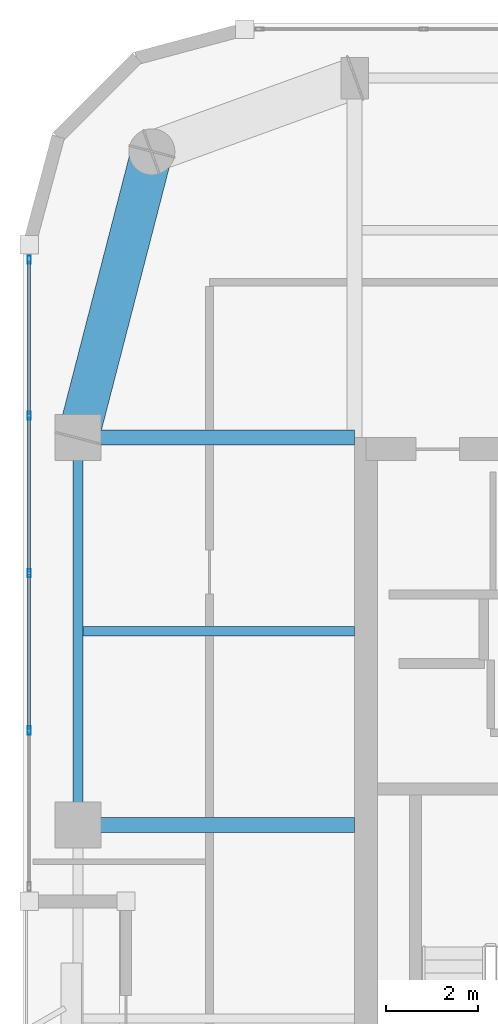
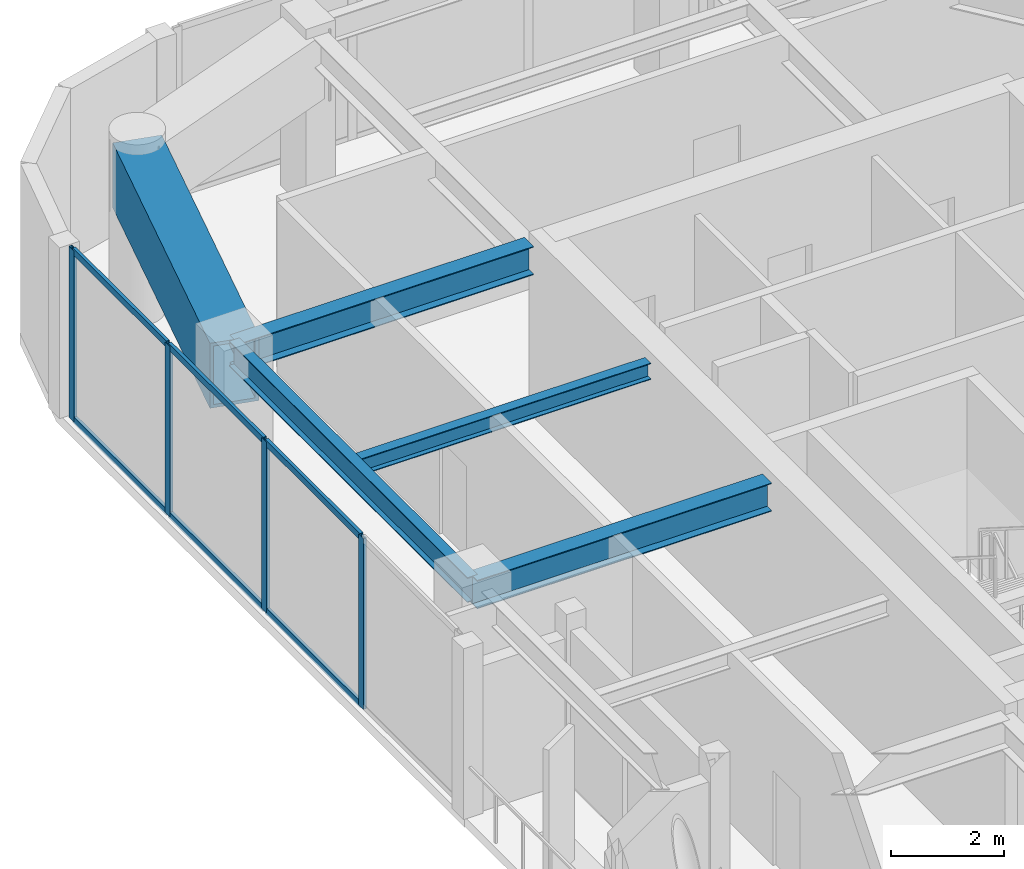
# One storey, part 4 of 15: 10 members, 5 beams, 1 element without a shape of its own.
"""IFC4 building model written with IfcOpenShell, lengths in metres."""

import ifcopenshell
import ifcopenshell.guid

model = None  # the IFC model being written
_history = None  # IfcOwnerHistory: only IFC2X3 demands one
_inside = {}  # id of a spatial element -> (the spatial element, [elements in it])
_under = {}  # id of a project, library or spatial element -> (it, [spatial elements below it])
_declared = {}  # id of a project -> (the project, [libraries it declares])
_typed = {}  # id of a type object -> (the type object, [elements of that type])
_made_of = {}  # id of a material, layer set ... -> (it, [elements and type objects made of it])


def new_model(schema):
    """Start an empty IFC model of exactly this schema.

    Asked for "IFC4X3", IfcOpenShell would pick the latest addendum, in which some entities
    have other attributes; the version numbers below select the first issue.
    IFC2X3 requires an IfcOwnerHistory on every rooted entity: one is made here for all.
    """
    global model, _history
    if schema == "IFC4X3":
        model = ifcopenshell.file(schema_version=(4, 3, 0, 0))
    else:
        model = ifcopenshell.file(schema=schema)
    _inside.clear()
    _under.clear()
    _declared.clear()
    _typed.clear()
    _made_of.clear()
    _history = None
    if model.schema == "IFC2X3":
        org = make("IfcOrganization", Name="unknown")
        user = make(
            "IfcPersonAndOrganization",
            ThePerson=make("IfcPerson", FamilyName="unknown"),
            TheOrganization=org,
        )
        app = make(
            "IfcApplication",
            ApplicationDeveloper=org,
            Version="unknown",
            ApplicationFullName="unknown",
            ApplicationIdentifier="unknown",
        )
        _history = make(
            "IfcOwnerHistory",
            OwningUser=user,
            OwningApplication=app,
            ChangeAction="ADDED",
            CreationDate=0,
        )
    return model


def make(cls, **values):
    """One entity of the class cls with the attributes given. An attribute that is None is left unset."""
    return model.create_entity(
        cls, **{name: value for name, value in values.items() if value is not None}
    )


def rooted(cls, **values):
    """An entity with a GlobalId (a new one), such as an element, a storey or a relation."""
    return make(cls, GlobalId=ifcopenshell.guid.new(), OwnerHistory=_history, **values)


def si_unit(unit_type, name, prefix=None):
    """IfcSIUnit, for example si_unit("LENGTHUNIT", "METRE", prefix="MILLI")."""
    return make("IfcSIUnit", UnitType=unit_type, Prefix=prefix, Name=name)


def assignment(units):
    """IfcUnitAssignment: the units of a project."""
    return None if units is None else make("IfcUnitAssignment", Units=units)


def point(xyz):
    """IfcCartesianPoint."""
    return None if xyz is None else make("IfcCartesianPoint", Coordinates=xyz)


def direction(xyz):
    """IfcDirection."""
    return None if xyz is None else make("IfcDirection", DirectionRatios=xyz)


def frame(location, z_axis=None, x_axis=None):
    """IfcAxis2Placement3D, a coordinate frame: its origin and axes. An axis left out is left unset."""
    return make(
        "IfcAxis2Placement3D",
        Location=point(location),
        Axis=direction(z_axis),
        RefDirection=direction(x_axis),
    )


def frame_2d(location, x_axis=None):
    """IfcAxis2Placement2D, a coordinate frame in the plane: its origin and x axis."""
    return make(
        "IfcAxis2Placement2D", Location=point(location), RefDirection=direction(x_axis)
    )


def origin():
    """The frame at (0, 0, 0) with its axes left unset."""
    return frame((0.0, 0.0, 0.0))


def origin_2d():
    """The frame at (0, 0) in the plane with its x axis left unset."""
    return frame_2d((0.0, 0.0))


def place(relative_to, where):
    """IfcLocalPlacement: puts the frame where relative to a parent placement (None: the world)."""
    return make(
        "IfcLocalPlacement", PlacementRelTo=relative_to, RelativePlacement=where
    )


def context(
    kind, dimensions, precision=None, world=None, true_north=None, identifier=None
):
    """IfcGeometricRepresentationContext, for example the 3D "Model" context."""
    return make(
        "IfcGeometricRepresentationContext",
        ContextIdentifier=identifier,
        ContextType=kind,
        CoordinateSpaceDimension=dimensions,
        Precision=precision,
        WorldCoordinateSystem=world,
        TrueNorth=true_north,
    )


def subcontext(parent, identifier, kind, view, scale=None):
    """IfcGeometricRepresentationSubContext, for example "Body" below "Model"."""
    return make(
        "IfcGeometricRepresentationSubContext",
        ContextIdentifier=identifier,
        ContextType=kind,
        ParentContext=parent,
        TargetScale=scale,
        TargetView=view,
    )


def project(units=None, contexts=None):
    """IfcProject with its units and contexts."""
    return rooted(
        "IfcProject",
        Name="project",
        RepresentationContexts=contexts,
        UnitsInContext=assignment(units),
    )


def spatial(cls, under=None, at=None, **own):
    """A site, building, storey or space (cls), placed at a placement, below another one or the project."""
    s = rooted(cls, ObjectPlacement=at, **own)
    if under is not None:
        _under.setdefault(under.id(), (under, []))[1].append(s)
    return s


def profile(cls, at=None, kind="AREA", **sizes):
    """A parametric profile (cls). Its sizes go by their IFC names, for example OverallWidth=200.0."""
    return make(cls, ProfileType=kind, Position=at, **sizes)


def hollow_rectangle(**sizes):
    """IfcRectangleHollowProfileDef."""
    return profile("IfcRectangleHollowProfileDef", **sizes)


def i_section(**sizes):
    """IfcIShapeProfileDef."""
    return profile("IfcIShapeProfileDef", **sizes)


def extrude(swept, where, along, depth):
    """IfcExtrudedAreaSolid: the profile swept, set in the frame where, extruded along a direction by depth."""
    return make(
        "IfcExtrudedAreaSolid",
        SweptArea=swept,
        Position=where,
        ExtrudedDirection=direction(along),
        Depth=depth,
    )


def shape(context_of_items, identifier, shape_type, items):
    """IfcShapeRepresentation: the items that make up one representation, for example the "Body"."""
    return make(
        "IfcShapeRepresentation",
        ContextOfItems=context_of_items,
        RepresentationIdentifier=identifier,
        RepresentationType=shape_type,
        Items=items,
    )


def material(Name=None, Category=None):
    """IfcMaterial."""
    return make("IfcMaterial", Name=Name, Category=Category)


def layer(
    of_material, thickness, ventilated=None, Name=None, Category=None, Priority=None
):
    """IfcMaterialLayer: one layer of a wall or slab, of a material (None: an air gap)."""
    return make(
        "IfcMaterialLayer",
        Material=of_material,
        LayerThickness=thickness,
        IsVentilated=ventilated,
        Name=Name,
        Category=Category,
        Priority=Priority,
    )


def layer_set(layers, Name=None):
    """IfcMaterialLayerSet."""
    return make("IfcMaterialLayerSet", MaterialLayers=layers, LayerSetName=Name)


def material_profile(
    of_material, cross_section, Name=None, Category=None, Priority=None
):
    """IfcMaterialProfile: a cross section and its material."""
    return make(
        "IfcMaterialProfile",
        Name=Name,
        Material=of_material,
        Profile=cross_section,
        Priority=Priority,
        Category=Category,
    )


def profile_set(profiles, Name=None, composite=None):
    """IfcMaterialProfileSet."""
    return make(
        "IfcMaterialProfileSet",
        Name=Name,
        MaterialProfiles=profiles,
        CompositeProfile=composite,
    )


def made_of(thing, what):
    """Note that an element or type object is made of a material, layer set ...; save() writes the relation."""
    if what is not None:
        _made_of.setdefault(what.id(), (what, []))[1].append(thing)
    return thing


def type_object(cls, material=None, **own):
    """A type object (cls), such as IfcWallType, which elements share."""
    return made_of(rooted(cls, **own), material)


def element(
    cls,
    number,
    at=None,
    inside=None,
    cuts=None,
    type_object=None,
    material=None,
    context=None,
    identifier="Body",
    shape_type=None,
    held_by="IfcProductDefinitionShape",
    body=None,
    shapes=None,
    **own,
):
    """One element of the class cls, such as IfcWall. Its Tag is "e" and its number.

    at: its placement. inside: the storey or other place that contains it. cuts: it is an
    opening in that element (IfcRelVoidsElement). A single representation is given by context,
    identifier, shape_type and body (its items); several are given by shapes. held_by: the class
    of the entity that holds the representations. save() writes the other relations.
    """
    e = rooted(cls, Tag="e%d" % number, ObjectPlacement=at, **own)
    if body is not None:
        shapes = [shape(context, identifier, shape_type, body)]
    if shapes is not None:
        e.Representation = make(held_by, Representations=shapes)
    if inside is not None:
        _inside.setdefault(inside.id(), (inside, []))[1].append(e)
    if cuts is not None:
        rooted(
            "IfcRelVoidsElement", RelatingBuildingElement=cuts, RelatedOpeningElement=e
        )
    if type_object is not None:
        _typed.setdefault(type_object.id(), (type_object, []))[1].append(e)
    return made_of(e, material)


def aggregate(whole, parts):
    """IfcRelAggregates: a whole, such as a stair, and the parts it consists of."""
    return rooted("IfcRelAggregates", RelatingObject=whole, RelatedObjects=parts)


def save(model, path):
    """Write the relations noted so far, then the file.

    IfcRelAggregates (storeys below a building ...), IfcRelContainedInSpatialStructure (elements
    in a storey), IfcRelDefinesByType, IfcRelAssociatesMaterial and IfcRelDeclares: one each for
    every whole, place, type object, material and project.
    """
    for whole, parts in _under.values():
        aggregate(whole, parts)
    for where, things in _inside.values():
        rooted(
            "IfcRelContainedInSpatialStructure",
            RelatedElements=things,
            RelatingStructure=where,
        )
    for kind, things in _typed.values():
        rooted("IfcRelDefinesByType", RelatedObjects=things, RelatingType=kind)
    for what, things in _made_of.values():
        rooted("IfcRelAssociatesMaterial", RelatedObjects=things, RelatingMaterial=what)
    for by, libraries in _declared.values():
        rooted("IfcRelDeclares", RelatingContext=by, RelatedDefinitions=libraries)
    model.write(path)


model = new_model("IFC4")

# Units and contexts
model_context = context("Model", 3, precision=1e-05, world=origin(), true_north=direction((0.0, 1.0)))
body_context = subcontext(model_context, "Body", "Model", "MODEL_VIEW")
ifc_project = project(units=[si_unit("LENGTHUNIT", "METRE"), si_unit("AREAUNIT", "SQUARE_METRE"), si_unit("VOLUMEUNIT", "CUBIC_METRE"), si_unit("PLANEANGLEUNIT", "RADIAN"), si_unit("MASSUNIT", "GRAM", prefix="KILO")], contexts=[model_context])

# Site, building, storey
site_placement = place(None, origin())
site = spatial("IfcSite", under=ifc_project, at=site_placement, CompositionType="ELEMENT")
building_placement = place(site_placement, origin())
building = spatial("IfcBuilding", under=site, at=building_placement, Name="Kiyonajd Concourse Tower", CompositionType="ELEMENT")
storey_placement = place(building_placement, frame((0.0, 0.0, 286.199951171875)))
storey = spatial("IfcBuildingStorey", under=building, at=storey_placement, Name="L72", CompositionType="ELEMENT", Elevation=286.199951171875)

# Beams
ifc_material_1 = material(Name="Steel ASTM A992 Grade 50", Category="steel")
ifc_material_profile_1 = material_profile(ifc_material_1, i_section(OverallWidth=0.205078125, OverallDepth=0.35400390625, WebThickness=0.009521484375, FlangeThickness=0.016845703125, at=origin_2d()), Name="W360X79")
ifc_profile_set_1 = profile_set([ifc_material_profile_1], Name="Steel ASTM A992 Grade 50")
beam_type_1 = type_object("IfcBeamType", Name="BM-JST-360", PredefinedType="JOIST", material=ifc_profile_set_1)
beam_1_placement = place(storey_placement, frame((26.505615234375, 40.199951171875, 3.5029296875), z_axis=(1.0, 0.0, 0.0), x_axis=(0.0, 1.0, 0.0)))
element("IfcBeam", 1, at=beam_1_placement, inside=storey, type_object=beam_type_1, Name="L72 West Secondary Floor Joist", PredefinedType="JOIST", context=body_context, shape_type="SweptSolid", body=[
    extrude(i_section(OverallWidth=0.205078125, OverallDepth=0.35400390625, WebThickness=0.009521484375, FlangeThickness=0.016845703125, at=origin_2d()), origin(), (0.0, 0.0, 1.0), 5.894287109375),
])
ifc_material_profile_2 = material_profile(ifc_material_1, i_section(OverallWidth=0.2109375, OverallDepth=0.5390625, WebThickness=0.01171875, FlangeThickness=0.018798828125, at=origin_2d()), Name="W530X109")
ifc_profile_set_2 = profile_set([ifc_material_profile_2], Name="Steel ASTM A992 Grade 50")
beam_type_2 = type_object("IfcBeamType", Name="BM-SPAN-530B", PredefinedType="SPANDREL", material=ifc_profile_set_2)
beam_2_placement = place(storey_placement, frame((26.39990234375, 44.39990234375, 3.41064453125), z_axis=(0.0, -1.0, 0.0), x_axis=(1.0, 0.0, 0.0)))
element("IfcBeam", 2, at=beam_2_placement, inside=storey, type_object=beam_type_2, Name="L72 Perimeter Bundled Tube Spandrel", PredefinedType="SPANDREL", context=body_context, shape_type="SweptSolid", body=[
    extrude(i_section(OverallWidth=0.2109375, OverallDepth=0.5390625, WebThickness=0.01171875, FlangeThickness=0.018798828125, at=origin_2d()), origin(), (0.0, 0.0, 1.0), 8.39990234375),
])
ifc_material_profile_3 = material_profile(ifc_material_1, i_section(OverallWidth=0.323974609375, OverallDepth=0.611083984375, WebThickness=0.0126953125, FlangeThickness=0.01904296875, at=origin_2d()), Name="W610X155")
ifc_profile_set_3 = profile_set([ifc_material_profile_3], Name="Steel ASTM A992 Grade 50")
beam_type_3 = type_object("IfcBeamType", Name="BM-TWR-610B", PredefinedType="BEAM", material=ifc_profile_set_3)
for number, where, z_axis, x_axis, name in (
    (3, (26.39990234375, 36.0, 3.37451171875), (1.0, 0.0, 0.0), (0.0, 1.0, 0.0), "L72 West Lease Girder"),
    (4, (26.39990234375, 44.39990234375, 3.37451171875), (1.0, 0.0, 0.0), (0.0, 1.0, 0.0), "L72 West Lease Girder"),
):
    element("IfcBeam", number, at=place(storey_placement, frame(where, z_axis=z_axis, x_axis=x_axis)), inside=storey, type_object=beam_type_3, Name=name, PredefinedType="BEAM", context=body_context, shape_type="SweptSolid", body=[
        extrude(i_section(OverallWidth=0.323974609375, OverallDepth=0.611083984375, WebThickness=0.0126953125, FlangeThickness=0.01904296875, at=origin_2d()), origin(), (0.0, 0.0, 1.0), 6.0),
    ])
ifc_material_2 = material(Name="Steel ASTM A572 Grade 50", Category="steel")
ifc_material_profile_4 = material_profile(ifc_material_2, hollow_rectangle(XDim=0.89990234375, YDim=1.39990234375, WallThickness=0.070068359375, at=origin_2d()), Name="BOX-1400x900x70")
ifc_profile_set_4 = profile_set([ifc_material_profile_4], Name="Steel ASTM A572 Grade 50")
beam_type_4 = type_object("IfcBeamType", Name="BM-XFER-1400", PredefinedType="BEAM", material=ifc_profile_set_4)
beam_3_placement = place(storey_placement, frame((28.0, 50.60009765625, 2.97998046875), z_axis=(-0.249884937687, -0.968275538221, 0.0), x_axis=(0.968275538221, -0.249884937687, 0.0)))
element("IfcBeam", 5, at=beam_3_placement, inside=storey, type_object=beam_type_4, Name="L72 Perimeter Bundled Tube Spandrel", PredefinedType="BEAM", context=body_context, shape_type="SweptSolid", body=[
    extrude(hollow_rectangle(XDim=0.89990234375, YDim=1.39990234375, WallThickness=0.070068359375, at=origin_2d()), origin(), (0.0, 0.0, 1.0), 6.4033203125),
])

# Curtain wall, members
ifc_material_3 = material(Name="Thermally Broken Anodised Aluminium", Category="aluminium")
ifc_layer = layer(ifc_material_3, 0.179931640625)
ifc_layer_set = layer_set([ifc_layer], Name="Thermally Broken Anodised Aluminium")
curtain_wall_type = type_object("IfcCurtainWallType", Name="CW-SYS-04", PredefinedType="NOTDEFINED", material=ifc_layer_set)
curtain_wall_placement = place(storey_placement, origin())
curtain_wall = element("IfcCurtainWall", 6, at=curtain_wall_placement, inside=storey, type_object=curtain_wall_type, Name="L72 Unitised Curtain Wall CW4", PredefinedType="NOTDEFINED")
ifc_material_profile_5 = material_profile(ifc_material_3, hollow_rectangle(XDim=0.06494140625, YDim=0.179931640625, WallThickness=0.00390625, at=origin_2d()), Name="MULL-65x180")
ifc_profile_set_5 = profile_set([ifc_material_profile_5], Name="Thermally Broken Anodised Aluminium")
member_type_1 = type_object("IfcMemberType", Name="MB-CW-MULL1", PredefinedType="MULLION", material=ifc_profile_set_5)
member_1_placement = place(storey_placement, frame((25.340087890625, 38.04541015625, 0.0), z_axis=(0.0, 0.0, 1.0), x_axis=(-1.0, 0.0, 0.0)))
member_1 = element("IfcMember", 7, at=member_1_placement, type_object=member_type_1, Name="CW4 mullion 2", PredefinedType="MULLION", context=body_context, shape_type="SweptSolid", body=[
    extrude(hollow_rectangle(XDim=0.06494140625, YDim=0.179931640625, WallThickness=0.00390625, at=origin_2d()), origin(), (0.0, 0.0, 1.0), 3.679931640625),
])
member_2_placement = place(storey_placement, frame((25.340087890625, 41.460693359375, 0.0), z_axis=(0.0, 0.0, 1.0), x_axis=(-1.0, 0.0, 0.0)))
member_2 = element("IfcMember", 8, at=member_2_placement, type_object=member_type_1, Name="CW4 mullion 3", PredefinedType="MULLION", context=body_context, shape_type="SweptSolid", body=[
    extrude(hollow_rectangle(XDim=0.06494140625, YDim=0.179931640625, WallThickness=0.00390625, at=origin_2d()), origin(), (0.0, 0.0, 1.0), 3.679931640625),
])
member_3_placement = place(storey_placement, frame((25.340087890625, 44.876220703125, 0.0), z_axis=(0.0, 0.0, 1.0), x_axis=(-1.0, 0.0, 0.0)))
member_3 = element("IfcMember", 9, at=member_3_placement, type_object=member_type_1, Name="CW4 mullion 4", PredefinedType="MULLION", context=body_context, shape_type="SweptSolid", body=[
    extrude(hollow_rectangle(XDim=0.06494140625, YDim=0.179931640625, WallThickness=0.00390625, at=origin_2d()), origin(), (0.0, 0.0, 1.0), 3.679931640625),
])
member_4_placement = place(storey_placement, frame((25.340087890625, 48.259033203125, 0.0), z_axis=(0.0, 0.0, 1.0), x_axis=(-1.0, 0.0, 0.0)))
member_4 = element("IfcMember", 10, at=member_4_placement, type_object=member_type_1, Name="CW4 mullion 5", PredefinedType="MULLION", context=body_context, shape_type="SweptSolid", body=[
    extrude(hollow_rectangle(XDim=0.06494140625, YDim=0.179931640625, WallThickness=0.00390625, at=origin_2d()), origin(), (0.0, 0.0, 1.0), 3.679931640625),
])
ifc_material_profile_6 = material_profile(ifc_material_3, hollow_rectangle(XDim=0.06494140625, YDim=0.139892578125, WallThickness=0.00390625, at=origin_2d()), Name="TRAN-65x140")
ifc_profile_set_6 = profile_set([ifc_material_profile_6], Name="Thermally Broken Anodised Aluminium")
member_type_2 = type_object("IfcMemberType", Name="MB-CW-TRAN1", PredefinedType="USERDEFINED", material=ifc_profile_set_6)
member_5_placement = place(storey_placement, frame((25.340087890625, 38.077880859375, 0.032470703125), z_axis=(0.0, 1.0, 0.0), x_axis=(-1.0, 0.0, 0.0)))
member_5 = element("IfcMember", 11, at=member_5_placement, type_object=member_type_2, Name="CW4 transom 2.1", ObjectType="TRANSOM", PredefinedType="USERDEFINED", context=body_context, shape_type="SweptSolid", body=[
    extrude(hollow_rectangle(XDim=0.06494140625, YDim=0.139892578125, WallThickness=0.00390625, at=origin_2d()), origin(), (0.0, 0.0, 1.0), 3.350341796875),
])
member_6_placement = place(storey_placement, frame((25.340087890625, 38.077880859375, 3.6474609375), z_axis=(0.0, 1.0, 0.0), x_axis=(-1.0, 0.0, 0.0)))
member_6 = element("IfcMember", 12, at=member_6_placement, type_object=member_type_2, Name="CW4 transom 2.2", ObjectType="TRANSOM", PredefinedType="USERDEFINED", context=body_context, shape_type="SweptSolid", body=[
    extrude(hollow_rectangle(XDim=0.06494140625, YDim=0.139892578125, WallThickness=0.00390625, at=origin_2d()), origin(), (0.0, 0.0, 1.0), 3.350341796875),
])
member_7_placement = place(storey_placement, frame((25.340087890625, 41.493408203125, 0.032470703125), z_axis=(0.0, 1.0, 0.0), x_axis=(-1.0, 0.0, 0.0)))
member_7 = element("IfcMember", 13, at=member_7_placement, type_object=member_type_2, Name="CW4 transom 3.1", ObjectType="TRANSOM", PredefinedType="USERDEFINED", context=body_context, shape_type="SweptSolid", body=[
    extrude(hollow_rectangle(XDim=0.06494140625, YDim=0.139892578125, WallThickness=0.00390625, at=origin_2d()), origin(), (0.0, 0.0, 1.0), 3.350341796875),
])
member_8_placement = place(storey_placement, frame((25.340087890625, 41.493408203125, 3.6474609375), z_axis=(0.0, 1.0, 0.0), x_axis=(-1.0, 0.0, 0.0)))
member_8 = element("IfcMember", 14, at=member_8_placement, type_object=member_type_2, Name="CW4 transom 3.2", ObjectType="TRANSOM", PredefinedType="USERDEFINED", context=body_context, shape_type="SweptSolid", body=[
    extrude(hollow_rectangle(XDim=0.06494140625, YDim=0.139892578125, WallThickness=0.00390625, at=origin_2d()), origin(), (0.0, 0.0, 1.0), 3.350341796875),
])
member_9_placement = place(storey_placement, frame((25.340087890625, 44.90869140625, 0.032470703125), z_axis=(0.0, 1.0, 0.0), x_axis=(-1.0, 0.0, 0.0)))
member_9 = element("IfcMember", 15, at=member_9_placement, type_object=member_type_2, Name="CW4 transom 4.1", ObjectType="TRANSOM", PredefinedType="USERDEFINED", context=body_context, shape_type="SweptSolid", body=[
    extrude(hollow_rectangle(XDim=0.06494140625, YDim=0.139892578125, WallThickness=0.00390625, at=origin_2d()), origin(), (0.0, 0.0, 1.0), 3.31787109375),
])
member_10_placement = place(storey_placement, frame((25.340087890625, 44.90869140625, 3.6474609375), z_axis=(0.0, 1.0, 0.0), x_axis=(-1.0, 0.0, 0.0)))
member_10 = element("IfcMember", 16, at=member_10_placement, type_object=member_type_2, Name="CW4 transom 4.2", ObjectType="TRANSOM", PredefinedType="USERDEFINED", context=body_context, shape_type="SweptSolid", body=[
    extrude(hollow_rectangle(XDim=0.06494140625, YDim=0.139892578125, WallThickness=0.00390625, at=origin_2d()), origin(), (0.0, 0.0, 1.0), 3.31787109375),
])
aggregate(curtain_wall, [member_1, member_2, member_3, member_4, member_5, member_6, member_7, member_8, member_9, member_10])

save(model, "model.ifc")
